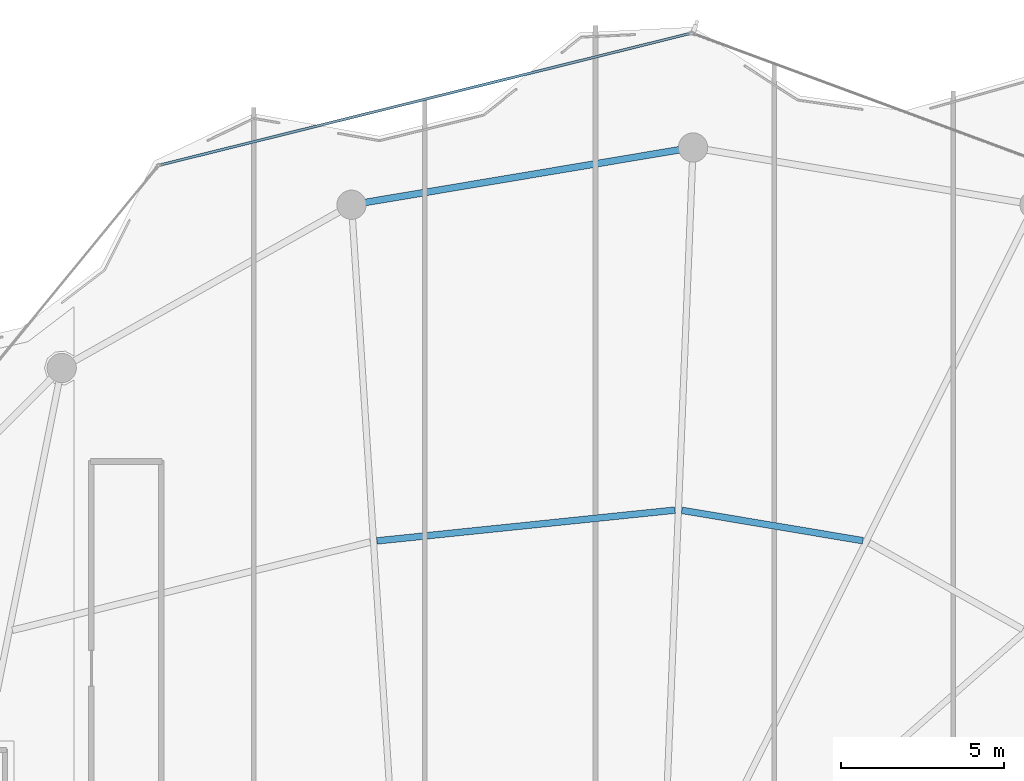
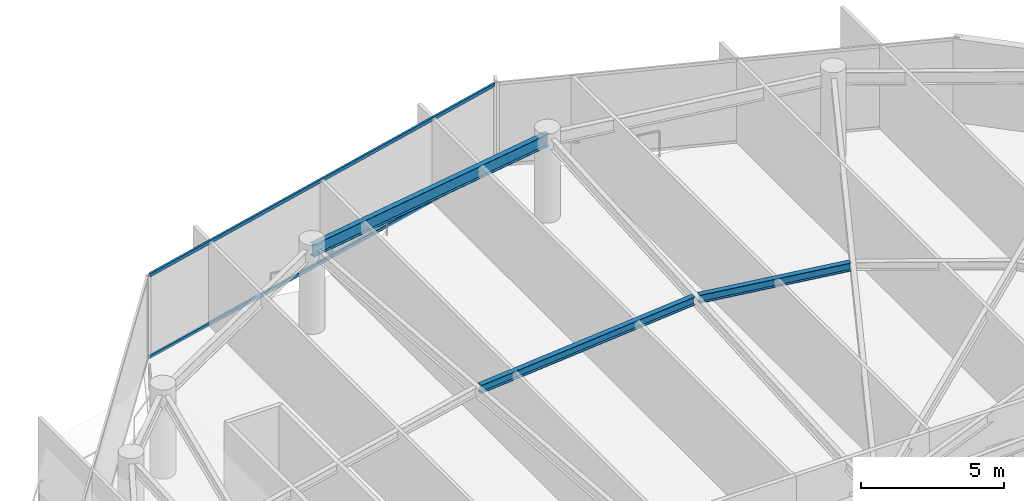
# One storey, part 20 of 29: 3 beams, 2 members, 1 element without a shape of its own.
"""IFC4 building model written with IfcOpenShell, lengths in metres."""

from ifc_helpers import new_model, si_unit, direction, frame, origin, origin_2d, place, context, subcontext, project, spatial, hollow_rectangle, i_section, extrude, material, layer, layer_set, material_profile, profile_set, type_object, element, aggregate, save


model = new_model("IFC4")

# Units and contexts
model_context = context("Model", 3, precision=1e-05, world=origin(), true_north=direction((0.0, 1.0)))
body_context = subcontext(model_context, "Body", "Model", "MODEL_VIEW")
ifc_project = project(units=[si_unit("LENGTHUNIT", "METRE"), si_unit("AREAUNIT", "SQUARE_METRE"), si_unit("VOLUMEUNIT", "CUBIC_METRE"), si_unit("PLANEANGLEUNIT", "RADIAN"), si_unit("MASSUNIT", "GRAM", prefix="KILO")], contexts=[model_context])

# Site, building, storey
site_placement = place(None, origin())
site = spatial("IfcSite", under=ifc_project, at=site_placement, CompositionType="ELEMENT")
building_placement = place(site_placement, origin())
building = spatial("IfcBuilding", under=site, at=building_placement, Name="Kazevale Care Tower and Concert Hall", CompositionType="ELEMENT")
storey_placement = place(building_placement, frame((0.0, 0.0, 285.199951171875)))
storey = spatial("IfcBuildingStorey", under=building, at=storey_placement, Name="L75", CompositionType="ELEMENT", Elevation=285.199951171875)

# Curtain wall, members
ifc_material_1 = material(Name="Aluminium 6063-T6 and Low-E Glass", Category="aluminium")
ifc_layer = layer(ifc_material_1, 0.179931640625)
ifc_layer_set = layer_set([ifc_layer], Name="Aluminium 6063-T6 and Low-E Glass")
curtain_wall_type = type_object("IfcCurtainWallType", Name="Waist & Upper Residential Curtain Wall CW-4", PredefinedType="NOTDEFINED", material=ifc_layer_set)
curtain_wall_placement = place(storey_placement, origin())
curtain_wall = element("IfcCurtainWall", 1, at=curtain_wall_placement, inside=storey, type_object=curtain_wall_type, Name="cw:L75:f15", PredefinedType="NOTDEFINED")
ifc_material_2 = material(Name="Aluminium 6063-T6", Category="aluminium")
ifc_material_profile_1 = material_profile(ifc_material_2, hollow_rectangle(XDim=0.080078125, YDim=0.139892578125, WallThickness=0.00390625, at=origin_2d()), Name="ALU80x140x4")
ifc_profile_set_1 = profile_set([ifc_material_profile_1], Name="Aluminium 6063-T6")
member_type = type_object("IfcMemberType", Name="CW-4 Transom ALU80x140x4", PredefinedType="USERDEFINED", material=ifc_profile_set_1)
member_1_placement = place(storey_placement, frame((28.638671875, 60.6181640625, 0.0400390625), z_axis=(0.970550647027, 0.240897159709, 0.0), x_axis=(-0.240897159709, 0.970550647027, 0.0)))
member_1 = element("IfcMember", 2, at=member_1_placement, type_object=member_type, Name="CW-4 transom 1.1", ObjectType="TRANSOM", PredefinedType="USERDEFINED", context=body_context, shape_type="SweptSolid", body=[
    extrude(hollow_rectangle(XDim=0.080078125, YDim=0.139892578125, WallThickness=0.00390625, at=origin_2d()), origin(), (0.0, 0.0, 1.0), 16.727294921875),
])
member_2_placement = place(storey_placement, frame((28.638671875, 60.6181640625, 3.52001953125), z_axis=(0.970550647027, 0.240897159709, 0.0), x_axis=(-0.240897159709, 0.970550647027, 0.0)))
member_2 = element("IfcMember", 3, at=member_2_placement, type_object=member_type, Name="CW-4 transom 1.2", ObjectType="TRANSOM", PredefinedType="USERDEFINED", context=body_context, shape_type="SweptSolid", body=[
    extrude(hollow_rectangle(XDim=0.080078125, YDim=0.139892578125, WallThickness=0.00390625, at=origin_2d()), origin(), (0.0, 0.0, 1.0), 16.727294921875),
])
aggregate(curtain_wall, [member_1, member_2])

# Beams
ifc_material_3 = material(Name="Steel ASTM A572 Gr 50", Category="steel")
ifc_material_profile_2 = material_profile(ifc_material_3, i_section(OverallWidth=0.205078125, OverallDepth=0.35400390625, WebThickness=0.009521484375, FlangeThickness=0.016845703125, at=origin_2d()), Name="W360x79")
ifc_profile_set_2 = profile_set([ifc_material_profile_2], Name="Steel ASTM A572 Gr 50")
beam_type_1 = type_object("IfcBeamType", Name="Secondary Floor Joist W360x79", PredefinedType="JOIST", material=ifc_profile_set_2)
beam_1_placement = place(storey_placement, frame((50.220947265625, 49.06201171875, 3.383056640625), z_axis=(-0.986241534462, 0.165310724705, 0.0), x_axis=(-0.165310724705, -0.986241534462, 0.0)))
element("IfcBeam", 4, at=beam_1_placement, inside=storey, type_object=beam_type_1, Name="beam:L75:joist:04", PredefinedType="JOIST", context=body_context, shape_type="SweptSolid", body=[
    extrude(i_section(OverallWidth=0.205078125, OverallDepth=0.35400390625, WebThickness=0.009521484375, FlangeThickness=0.016845703125, at=origin_2d()), origin(), (0.0, 0.0, 1.0), 5.64453125),
])
beam_2_placement = place(storey_placement, frame((44.446044921875, 50.001953125, 3.383056640625), z_axis=(-0.994706089671, -0.10276086401, 0.0), x_axis=(0.10276086401, -0.994706089671, 0.0)))
element("IfcBeam", 5, at=beam_2_placement, inside=storey, type_object=beam_type_1, Name="beam:L75:joist:05", PredefinedType="JOIST", context=body_context, shape_type="SweptSolid", body=[
    extrude(i_section(OverallWidth=0.205078125, OverallDepth=0.35400390625, WebThickness=0.009521484375, FlangeThickness=0.016845703125, at=origin_2d()), origin(), (0.0, 0.0, 1.0), 9.2158203125),
])
ifc_material_profile_3 = material_profile(ifc_material_3, i_section(OverallWidth=0.208984375, OverallDepth=0.532958984375, WebThickness=0.01025390625, FlangeThickness=0.015625, at=origin_2d()), Name="W530x92")
ifc_profile_set_3 = profile_set([ifc_material_profile_3], Name="Steel ASTM A572 Gr 50")
beam_type_2 = type_object("IfcBeamType", Name="Upper Ring Beam W530x92", PredefinedType="BEAM", material=ifc_profile_set_3)
beam_3_placement = place(storey_placement, frame((45.0, 61.14990234375, 3.29345703125), z_axis=(-0.986241035683, -0.165313700387, 0.0), x_axis=(0.165313700387, -0.986241035683, 0.0)))
element("IfcBeam", 6, at=beam_3_placement, inside=storey, type_object=beam_type_2, Name="beam:L75:ring:05", PredefinedType="BEAM", context=body_context, shape_type="SweptSolid", body=[
    extrude(i_section(OverallWidth=0.208984375, OverallDepth=0.532958984375, WebThickness=0.01025390625, FlangeThickness=0.015625, at=origin_2d()), origin(), (0.0, 0.0, 1.0), 10.646484375),
])

save(model, "model.ifc")
